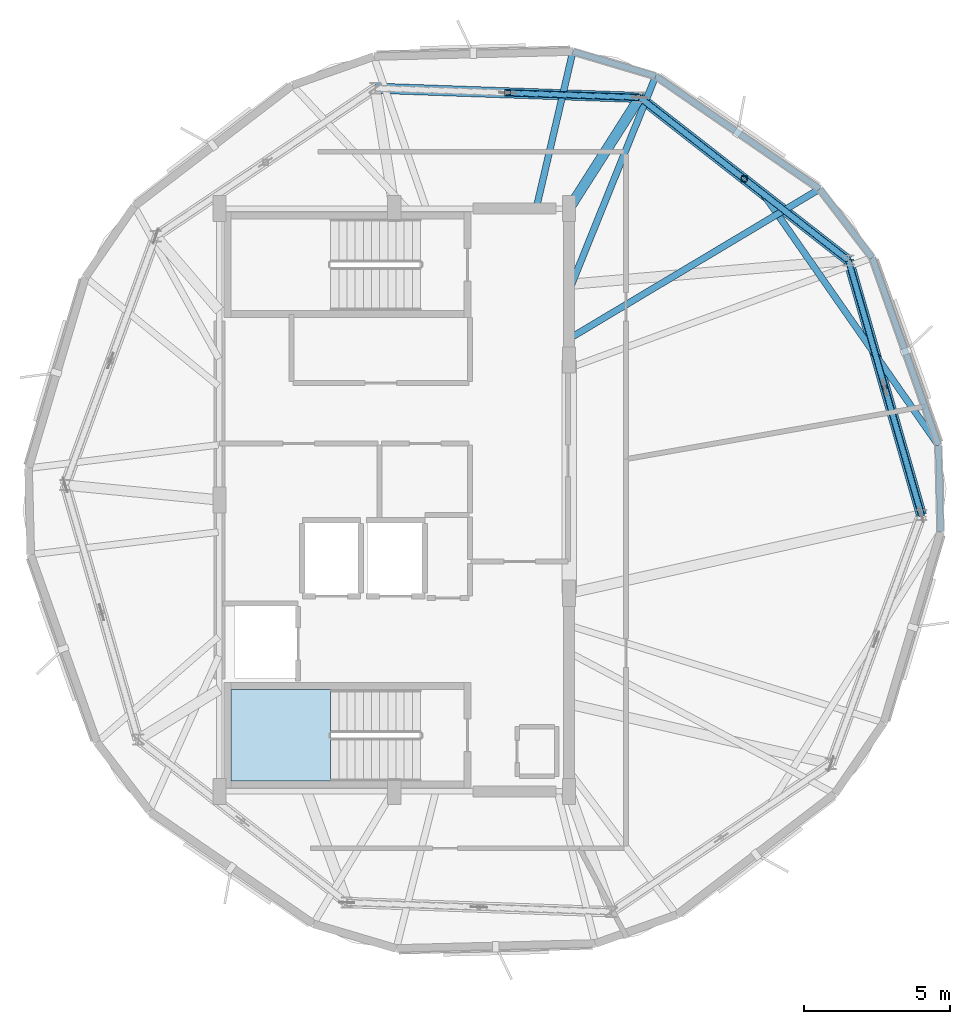
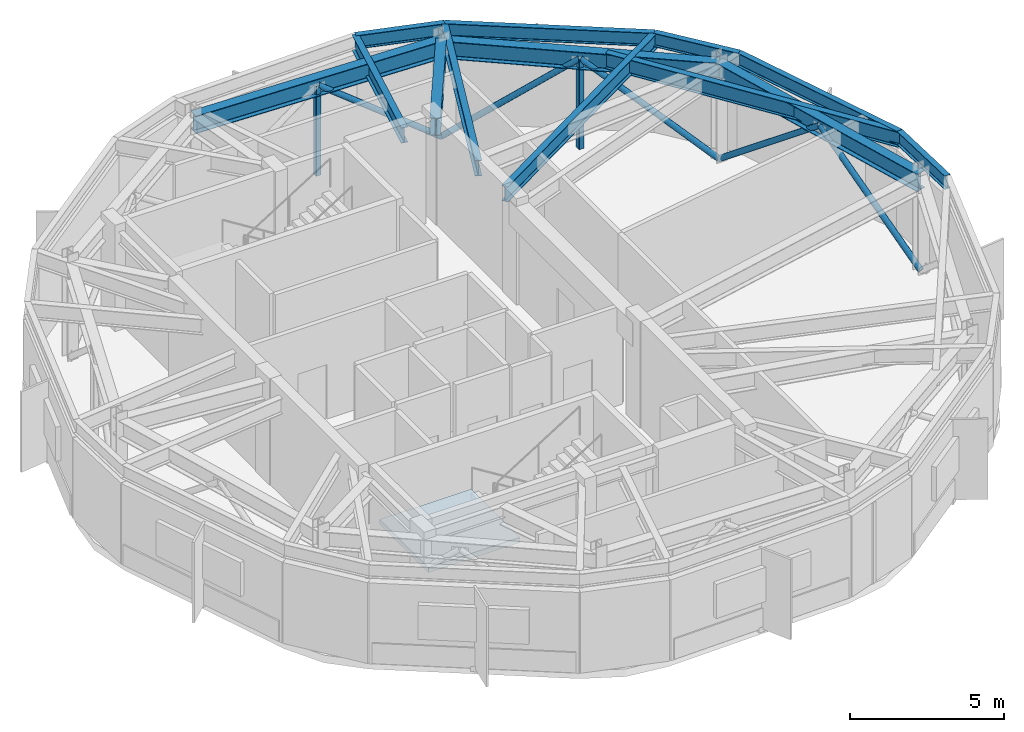
# One storey, part 3 of 9: 13 beams, 7 members, 1 slab, 1 element without a shape of its own.
"""IFC4 building model written with IfcOpenShell, lengths in metres."""

import ifcopenshell
import ifcopenshell.guid

model = None  # the IFC model being written
_history = None  # IfcOwnerHistory: only IFC2X3 demands one
_inside = {}  # id of a spatial element -> (the spatial element, [elements in it])
_under = {}  # id of a project, library or spatial element -> (it, [spatial elements below it])
_declared = {}  # id of a project -> (the project, [libraries it declares])
_typed = {}  # id of a type object -> (the type object, [elements of that type])
_made_of = {}  # id of a material, layer set ... -> (it, [elements and type objects made of it])


def new_model(schema):
    """Start an empty IFC model of exactly this schema.

    Asked for "IFC4X3", IfcOpenShell would pick the latest addendum, in which some entities
    have other attributes; the version numbers below select the first issue.
    IFC2X3 requires an IfcOwnerHistory on every rooted entity: one is made here for all.
    """
    global model, _history
    if schema == "IFC4X3":
        model = ifcopenshell.file(schema_version=(4, 3, 0, 0))
    else:
        model = ifcopenshell.file(schema=schema)
    _inside.clear()
    _under.clear()
    _declared.clear()
    _typed.clear()
    _made_of.clear()
    _history = None
    if model.schema == "IFC2X3":
        org = make("IfcOrganization", Name="unknown")
        user = make(
            "IfcPersonAndOrganization",
            ThePerson=make("IfcPerson", FamilyName="unknown"),
            TheOrganization=org,
        )
        app = make(
            "IfcApplication",
            ApplicationDeveloper=org,
            Version="unknown",
            ApplicationFullName="unknown",
            ApplicationIdentifier="unknown",
        )
        _history = make(
            "IfcOwnerHistory",
            OwningUser=user,
            OwningApplication=app,
            ChangeAction="ADDED",
            CreationDate=0,
        )
    return model


def make(cls, **values):
    """One entity of the class cls with the attributes given. An attribute that is None is left unset."""
    return model.create_entity(
        cls, **{name: value for name, value in values.items() if value is not None}
    )


def rooted(cls, **values):
    """An entity with a GlobalId (a new one), such as an element, a storey or a relation."""
    return make(cls, GlobalId=ifcopenshell.guid.new(), OwnerHistory=_history, **values)


def si_unit(unit_type, name, prefix=None):
    """IfcSIUnit, for example si_unit("LENGTHUNIT", "METRE", prefix="MILLI")."""
    return make("IfcSIUnit", UnitType=unit_type, Prefix=prefix, Name=name)


def assignment(units):
    """IfcUnitAssignment: the units of a project."""
    return None if units is None else make("IfcUnitAssignment", Units=units)


def point(xyz):
    """IfcCartesianPoint."""
    return None if xyz is None else make("IfcCartesianPoint", Coordinates=xyz)


def direction(xyz):
    """IfcDirection."""
    return None if xyz is None else make("IfcDirection", DirectionRatios=xyz)


def frame(location, z_axis=None, x_axis=None):
    """IfcAxis2Placement3D, a coordinate frame: its origin and axes. An axis left out is left unset."""
    return make(
        "IfcAxis2Placement3D",
        Location=point(location),
        Axis=direction(z_axis),
        RefDirection=direction(x_axis),
    )


def frame_2d(location, x_axis=None):
    """IfcAxis2Placement2D, a coordinate frame in the plane: its origin and x axis."""
    return make(
        "IfcAxis2Placement2D", Location=point(location), RefDirection=direction(x_axis)
    )


def origin():
    """The frame at (0, 0, 0) with its axes left unset."""
    return frame((0.0, 0.0, 0.0))


def origin_2d():
    """The frame at (0, 0) in the plane with its x axis left unset."""
    return frame_2d((0.0, 0.0))


def place(relative_to, where):
    """IfcLocalPlacement: puts the frame where relative to a parent placement (None: the world)."""
    return make(
        "IfcLocalPlacement", PlacementRelTo=relative_to, RelativePlacement=where
    )


def context(
    kind, dimensions, precision=None, world=None, true_north=None, identifier=None
):
    """IfcGeometricRepresentationContext, for example the 3D "Model" context."""
    return make(
        "IfcGeometricRepresentationContext",
        ContextIdentifier=identifier,
        ContextType=kind,
        CoordinateSpaceDimension=dimensions,
        Precision=precision,
        WorldCoordinateSystem=world,
        TrueNorth=true_north,
    )


def subcontext(parent, identifier, kind, view, scale=None):
    """IfcGeometricRepresentationSubContext, for example "Body" below "Model"."""
    return make(
        "IfcGeometricRepresentationSubContext",
        ContextIdentifier=identifier,
        ContextType=kind,
        ParentContext=parent,
        TargetScale=scale,
        TargetView=view,
    )


def project(units=None, contexts=None):
    """IfcProject with its units and contexts."""
    return rooted(
        "IfcProject",
        Name="project",
        RepresentationContexts=contexts,
        UnitsInContext=assignment(units),
    )


def spatial(cls, under=None, at=None, **own):
    """A site, building, storey or space (cls), placed at a placement, below another one or the project."""
    s = rooted(cls, ObjectPlacement=at, **own)
    if under is not None:
        _under.setdefault(under.id(), (under, []))[1].append(s)
    return s


def polyline(points):
    """IfcPolyline through the points."""
    return make("IfcPolyline", Points=[point(p) for p in points])


def profile(cls, at=None, kind="AREA", **sizes):
    """A parametric profile (cls). Its sizes go by their IFC names, for example OverallWidth=200.0."""
    return make(cls, ProfileType=kind, Position=at, **sizes)


def hollow_rectangle(**sizes):
    """IfcRectangleHollowProfileDef."""
    return profile("IfcRectangleHollowProfileDef", **sizes)


def hollow_circle(**sizes):
    """IfcCircleHollowProfileDef."""
    return profile("IfcCircleHollowProfileDef", **sizes)


def i_section(**sizes):
    """IfcIShapeProfileDef."""
    return profile("IfcIShapeProfileDef", **sizes)


def outline(outer, holes=None, kind="AREA"):
    """IfcArbitraryClosedProfileDef: a profile drawn as a closed curve; with holes, ...WithVoids."""
    if holes is None:
        return make("IfcArbitraryClosedProfileDef", ProfileType=kind, OuterCurve=outer)
    return make(
        "IfcArbitraryProfileDefWithVoids",
        ProfileType=kind,
        OuterCurve=outer,
        InnerCurves=holes,
    )


def extrude(swept, where, along, depth):
    """IfcExtrudedAreaSolid: the profile swept, set in the frame where, extruded along a direction by depth."""
    return make(
        "IfcExtrudedAreaSolid",
        SweptArea=swept,
        Position=where,
        ExtrudedDirection=direction(along),
        Depth=depth,
    )


def shape(context_of_items, identifier, shape_type, items):
    """IfcShapeRepresentation: the items that make up one representation, for example the "Body"."""
    return make(
        "IfcShapeRepresentation",
        ContextOfItems=context_of_items,
        RepresentationIdentifier=identifier,
        RepresentationType=shape_type,
        Items=items,
    )


def material(Name=None, Category=None):
    """IfcMaterial."""
    return make("IfcMaterial", Name=Name, Category=Category)


def layer(
    of_material, thickness, ventilated=None, Name=None, Category=None, Priority=None
):
    """IfcMaterialLayer: one layer of a wall or slab, of a material (None: an air gap)."""
    return make(
        "IfcMaterialLayer",
        Material=of_material,
        LayerThickness=thickness,
        IsVentilated=ventilated,
        Name=Name,
        Category=Category,
        Priority=Priority,
    )


def layer_set(layers, Name=None):
    """IfcMaterialLayerSet."""
    return make("IfcMaterialLayerSet", MaterialLayers=layers, LayerSetName=Name)


def material_profile(
    of_material, cross_section, Name=None, Category=None, Priority=None
):
    """IfcMaterialProfile: a cross section and its material."""
    return make(
        "IfcMaterialProfile",
        Name=Name,
        Material=of_material,
        Profile=cross_section,
        Priority=Priority,
        Category=Category,
    )


def profile_set(profiles, Name=None, composite=None):
    """IfcMaterialProfileSet."""
    return make(
        "IfcMaterialProfileSet",
        Name=Name,
        MaterialProfiles=profiles,
        CompositeProfile=composite,
    )


def made_of(thing, what):
    """Note that an element or type object is made of a material, layer set ...; save() writes the relation."""
    if what is not None:
        _made_of.setdefault(what.id(), (what, []))[1].append(thing)
    return thing


def type_object(cls, material=None, **own):
    """A type object (cls), such as IfcWallType, which elements share."""
    return made_of(rooted(cls, **own), material)


def element(
    cls,
    number,
    at=None,
    inside=None,
    cuts=None,
    type_object=None,
    material=None,
    context=None,
    identifier="Body",
    shape_type=None,
    held_by="IfcProductDefinitionShape",
    body=None,
    shapes=None,
    **own,
):
    """One element of the class cls, such as IfcWall. Its Tag is "e" and its number.

    at: its placement. inside: the storey or other place that contains it. cuts: it is an
    opening in that element (IfcRelVoidsElement). A single representation is given by context,
    identifier, shape_type and body (its items); several are given by shapes. held_by: the class
    of the entity that holds the representations. save() writes the other relations.
    """
    e = rooted(cls, Tag="e%d" % number, ObjectPlacement=at, **own)
    if body is not None:
        shapes = [shape(context, identifier, shape_type, body)]
    if shapes is not None:
        e.Representation = make(held_by, Representations=shapes)
    if inside is not None:
        _inside.setdefault(inside.id(), (inside, []))[1].append(e)
    if cuts is not None:
        rooted(
            "IfcRelVoidsElement", RelatingBuildingElement=cuts, RelatedOpeningElement=e
        )
    if type_object is not None:
        _typed.setdefault(type_object.id(), (type_object, []))[1].append(e)
    return made_of(e, material)


def aggregate(whole, parts):
    """IfcRelAggregates: a whole, such as a stair, and the parts it consists of."""
    return rooted("IfcRelAggregates", RelatingObject=whole, RelatedObjects=parts)


def save(model, path):
    """Write the relations noted so far, then the file.

    IfcRelAggregates (storeys below a building ...), IfcRelContainedInSpatialStructure (elements
    in a storey), IfcRelDefinesByType, IfcRelAssociatesMaterial and IfcRelDeclares: one each for
    every whole, place, type object, material and project.
    """
    for whole, parts in _under.values():
        aggregate(whole, parts)
    for where, things in _inside.values():
        rooted(
            "IfcRelContainedInSpatialStructure",
            RelatedElements=things,
            RelatingStructure=where,
        )
    for kind, things in _typed.values():
        rooted("IfcRelDefinesByType", RelatedObjects=things, RelatingType=kind)
    for what, things in _made_of.values():
        rooted("IfcRelAssociatesMaterial", RelatedObjects=things, RelatingMaterial=what)
    for by, libraries in _declared.values():
        rooted("IfcRelDeclares", RelatingContext=by, RelatedDefinitions=libraries)
    model.write(path)


model = new_model("IFC4")

# Units and contexts
model_context = context("Model", 3, precision=1e-05, world=origin(), true_north=direction((0.0, 1.0)))
body_context = subcontext(model_context, "Body", "Model", "MODEL_VIEW")
ifc_project = project(units=[si_unit("LENGTHUNIT", "METRE"), si_unit("AREAUNIT", "SQUARE_METRE"), si_unit("VOLUMEUNIT", "CUBIC_METRE"), si_unit("PLANEANGLEUNIT", "RADIAN"), si_unit("MASSUNIT", "GRAM", prefix="KILO")], contexts=[model_context])

# Site, building, storey
site_placement = place(None, origin())
site = spatial("IfcSite", under=ifc_project, at=site_placement, CompositionType="ELEMENT")
building_placement = place(site_placement, origin())
building = spatial("IfcBuilding", under=site, at=building_placement, Name="Soratama Intermodal Tower", CompositionType="ELEMENT")
storey_placement = place(building_placement, frame((0.0, 0.0, 305.64990234375)))
storey = spatial("IfcBuildingStorey", under=building, at=storey_placement, Name="L77", CompositionType="ELEMENT", Elevation=305.64990234375)

# Beams
ifc_material_1 = material(Name="Structural steel ASTM A992 Grade 50", Category="steel")
ifc_material_profile_1 = material_profile(ifc_material_1, i_section(OverallWidth=0.35498046875, OverallDepth=0.695068359375, WebThickness=0.015380859375, FlangeThickness=0.02490234375, FilletRadius=0.01611328125, at=origin_2d()), Name="W27X146")
ifc_profile_set_1 = profile_set([ifc_material_profile_1], Name="Structural steel ASTM A992 Grade 50")
beam_type_1 = type_object("IfcBeamType", Name="BM-RING-W27X146", PredefinedType="BEAM", material=ifc_profile_set_1)
beam_1_placement = place(storey_placement, frame((54.18701171875, 33.219970703125, 3.547607421875), z_axis=(-0.78801907717, 0.615650821502, 0.0), x_axis=(-0.615650821502, -0.78801907717, 0.0)))
element("IfcBeam", 1, at=beam_1_placement, inside=storey, type_object=beam_type_1, Name="BM-L77-RING-01", PredefinedType="BEAM", context=body_context, shape_type="SweptSolid", body=[
    extrude(i_section(OverallWidth=0.35498046875, OverallDepth=0.695068359375, WebThickness=0.015380859375, FlangeThickness=0.02490234375, FilletRadius=0.01611328125, at=origin_2d()), origin(), (0.0, 0.0, 1.0), 9.084716796875),
])
beam_2_placement = place(storey_placement, frame((47.028076171875, 38.81298828125, 3.547607421875), z_axis=(-0.999391551516, 0.034878743651, 0.0), x_axis=(-0.034878743651, -0.999391551516, 0.0)))
element("IfcBeam", 2, at=beam_2_placement, inside=storey, type_object=beam_type_1, Name="BM-L77-RING-02", PredefinedType="BEAM", context=body_context, shape_type="SweptSolid", body=[
    extrude(i_section(OverallWidth=0.35498046875, OverallDepth=0.695068359375, WebThickness=0.015380859375, FlangeThickness=0.02490234375, FilletRadius=0.01611328125, at=origin_2d()), origin(), (0.0, 0.0, 1.0), 9.085693359375),
])
beam_3_placement = place(storey_placement, frame((56.69091796875, 24.487060546875, 3.547607421875), z_axis=(-0.275615442928, 0.961267979088, 0.0), x_axis=(-0.961267979088, -0.275615442928, 0.0)))
element("IfcBeam", 3, at=beam_3_placement, inside=storey, type_object=beam_type_1, Name="BM-L77-RING-10", PredefinedType="BEAM", context=body_context, shape_type="SweptSolid", body=[
    extrude(i_section(OverallWidth=0.35498046875, OverallDepth=0.695068359375, WebThickness=0.015380859375, FlangeThickness=0.02490234375, FilletRadius=0.01611328125, at=origin_2d()), origin(), (0.0, 0.0, 1.0), 9.084716796875),
])
beam_4_placement = place(storey_placement, frame((44.60009765625, 35.0, 3.547607421875), z_axis=(0.537116603261, 0.843508005001, 0.0), x_axis=(-0.843508005001, 0.537116603261, 0.0)))
element("IfcBeam", 4, at=beam_4_placement, inside=storey, type_object=beam_type_1, Name="BM-L77-RAD-02", PredefinedType="BEAM", context=body_context, shape_type="SweptSolid", body=[
    extrude(i_section(OverallWidth=0.35498046875, OverallDepth=0.695068359375, WebThickness=0.015380859375, FlangeThickness=0.02490234375, FilletRadius=0.01611328125, at=origin_2d()), origin(), (0.0, 0.0, 1.0), 4.5205078125),
])
ifc_material_2 = material(Name="Structural steel ASTM A992 Grade 50", Category="steel")
ifc_material_profile_2 = material_profile(ifc_material_2, i_section(OverallWidth=0.2099609375, OverallDepth=0.537109375, WebThickness=0.010986328125, FlangeThickness=0.017333984375, FilletRadius=0.012939453125, at=origin_2d()), Name="W21X68")
ifc_profile_set_2 = profile_set([ifc_material_profile_2], Name="Structural steel ASTM A992 Grade 50")
beam_type_2 = type_object("IfcBeamType", Name="BM-SPN-W21X68", PredefinedType="SPANDREL", material=ifc_profile_set_2)
beam_5_placement = place(storey_placement, frame((57.35009765625, 23.909912109375, 3.626708984375), z_axis=(-0.025023039104, 0.999686874733, 0.0), x_axis=(-0.999686874733, -0.025023039104, 0.0)))
element("IfcBeam", 5, at=beam_5_placement, inside=storey, type_object=beam_type_2, Name="BS-L77-CRN08", PredefinedType="SPANDREL", context=body_context, shape_type="SweptSolid", body=[
    extrude(i_section(OverallWidth=0.2099609375, OverallDepth=0.537109375, WebThickness=0.010986328125, FlangeThickness=0.017333984375, FilletRadius=0.012939453125, at=origin_2d()), origin(), (0.0, 0.0, 1.0), 2.966064453125),
])
beam_6_placement = place(storey_placement, frame((57.27587890625, 26.875, 3.626708984375), z_axis=(-0.332861243302, 0.942975817668, 0.0), x_axis=(-0.942975817668, -0.332861243302, 0.0)))
element("IfcBeam", 6, at=beam_6_placement, inside=storey, type_object=beam_type_2, Name="BS-L77-F09", PredefinedType="SPANDREL", context=body_context, shape_type="SweptSolid", body=[
    extrude(i_section(OverallWidth=0.2099609375, OverallDepth=0.537109375, WebThickness=0.010986328125, FlangeThickness=0.017333984375, FilletRadius=0.012939453125, at=origin_2d()), origin(), (0.0, 0.0, 1.0), 6.83154296875),
])
beam_7_placement = place(storey_placement, frame((55.001953125, 33.31689453125, 3.626708984375), z_axis=(-0.607859420351, 0.794044661899, 0.0), x_axis=(-0.794044661899, -0.607859420351, 0.0)))
element("IfcBeam", 7, at=beam_7_placement, inside=storey, type_object=beam_type_2, Name="BS-L77-CRN09", PredefinedType="SPANDREL", context=body_context, shape_type="SweptSolid", body=[
    extrude(i_section(OverallWidth=0.2099609375, OverallDepth=0.537109375, WebThickness=0.010986328125, FlangeThickness=0.017333984375, FilletRadius=0.012939453125, at=origin_2d()), origin(), (0.0, 0.0, 1.0), 2.966064453125),
])
beam_8_placement = place(storey_placement, frame((53.198974609375, 35.672119140625, 3.626708984375), z_axis=(-0.823553605691, 0.567238449467, 0.0), x_axis=(-0.567238449467, -0.823553605691, 0.0)))
element("IfcBeam", 8, at=beam_8_placement, inside=storey, type_object=beam_type_2, Name="BS-L77-F10", PredefinedType="SPANDREL", context=body_context, shape_type="SweptSolid", body=[
    extrude(i_section(OverallWidth=0.2099609375, OverallDepth=0.537109375, WebThickness=0.010986328125, FlangeThickness=0.017333984375, FilletRadius=0.012939453125, at=origin_2d()), origin(), (0.0, 0.0, 1.0), 6.831298828125),
])
beam_9_placement = place(storey_placement, frame((47.572998046875, 39.547119140625, 3.626708984375), z_axis=(-0.958469489688, 0.285195086455, 0.0), x_axis=(-0.285195086455, -0.958469489688, 0.0)))
element("IfcBeam", 9, at=beam_9_placement, inside=storey, type_object=beam_type_2, Name="BS-L77-CRN10", PredefinedType="SPANDREL", context=body_context, shape_type="SweptSolid", body=[
    extrude(i_section(OverallWidth=0.2099609375, OverallDepth=0.537109375, WebThickness=0.010986328125, FlangeThickness=0.017333984375, FilletRadius=0.012939453125, at=origin_2d()), origin(), (0.0, 0.0, 1.0), 2.96630859375),
])
ifc_material_3 = material(Name="Structural steel ASTM A992 Grade 50", Category="steel")
ifc_material_profile_3 = material_profile(ifc_material_3, i_section(OverallWidth=0.22900390625, OverallDepth=0.612060546875, WebThickness=0.011962890625, FlangeThickness=0.01953125, FilletRadius=0.012939453125, at=origin_2d()), Name="W24X84")
ifc_profile_set_3 = profile_set([ifc_material_profile_3], Name="Structural steel ASTM A992 Grade 50")
beam_type_3 = type_object("IfcBeamType", Name="BM-TIE-W24X84", PredefinedType="BEAM", material=ifc_profile_set_3)
beam_10_placement = place(storey_placement, frame((43.47998046875, 35.0390625, 3.589111328125), z_axis=(0.227355951671, 0.973811722685, 0.0), x_axis=(-0.973811722685, 0.227355951671, 0.0)))
element("IfcBeam", 10, at=beam_10_placement, inside=storey, type_object=beam_type_3, Name="BM-L77-TIE0-01", PredefinedType="BEAM", context=body_context, shape_type="SweptSolid", body=[
    extrude(i_section(OverallWidth=0.22900390625, OverallDepth=0.612060546875, WebThickness=0.011962890625, FlangeThickness=0.01953125, FilletRadius=0.012939453125, at=origin_2d()), origin(), (0.0, 0.0, 1.0), 5.498046875),
])
beam_11_placement = place(storey_placement, frame((51.2880859375, 35.469970703125, 3.589111328125), z_axis=(0.571622947608, -0.820516426263, 0.0), x_axis=(0.820516426263, 0.571622947608, 0.0)))
element("IfcBeam", 11, at=beam_11_placement, inside=storey, type_object=beam_type_3, Name="BM-L77-TIE0-09", PredefinedType="BEAM", context=body_context, shape_type="SweptSolid", body=[
    extrude(i_section(OverallWidth=0.22900390625, OverallDepth=0.612060546875, WebThickness=0.011962890625, FlangeThickness=0.01953125, FilletRadius=0.012939453125, at=origin_2d()), origin(), (0.0, 0.0, 1.0), 10.47509765625),
])
beam_12_placement = place(storey_placement, frame((44.634033203125, 30.553955078125, 3.589111328125), z_axis=(0.858411291214, 0.512962040619, 0.0), x_axis=(-0.512962040619, 0.858411291214, 0.0)))
element("IfcBeam", 12, at=beam_12_placement, inside=storey, type_object=beam_type_3, Name="BM-L77-TIE0-10", PredefinedType="BEAM", context=body_context, shape_type="SweptSolid", body=[
    extrude(i_section(OverallWidth=0.22900390625, OverallDepth=0.612060546875, WebThickness=0.011962890625, FlangeThickness=0.01953125, FilletRadius=0.012939453125, at=origin_2d()), origin(), (0.0, 0.0, 1.0), 9.977783203125),
])
beam_13_placement = place(storey_placement, frame((44.614990234375, 32.219970703125, 3.589111328125), z_axis=(0.374350657617, 0.927287218256, 0.0), x_axis=(-0.927287218256, 0.374350657617, 0.0)))
element("IfcBeam", 13, at=beam_13_placement, inside=storey, type_object=beam_type_3, Name="BM-L77-TIE1-10", PredefinedType="BEAM", context=body_context, shape_type="SweptSolid", body=[
    extrude(i_section(OverallWidth=0.22900390625, OverallDepth=0.612060546875, WebThickness=0.011962890625, FlangeThickness=0.01953125, FilletRadius=0.012939453125, at=origin_2d()), origin(), (0.0, 0.0, 1.0), 7.901611328125),
])

# Members
ifc_material_4 = material(Name="Structural steel ASTM A500 Grade C", Category="steel")
ifc_material_profile_4 = material_profile(ifc_material_4, hollow_circle(Radius=0.109619140625, WallThickness=0.010009765625, at=origin_2d()), Name="CHS219X10")
ifc_profile_set_4 = profile_set([ifc_material_profile_4], Name="Structural steel ASTM A500 Grade C")
member_type_1 = type_object("IfcMemberType", Name="MB-DIAG-CHS219", PredefinedType="BRACE", material=ifc_profile_set_4)
for number, where, z_axis, x_axis, name in (
    (14, (54.18701171875, 33.22021484375, 0.010009765625), (-0.621722679226, 0.485734094294, 0.614429247169), (-0.615654471605, -0.788016225463, 0.0), "L77 Belt Truss Brace A 01"),
    (15, (47.027587890625, 38.8134765625, 0.010009765625), (0.621748691194, -0.485721288797, 0.614413048858), (0.615628397983, 0.788036595341, 0.0), "L77 Belt Truss Brace B 01"),
    (16, (47.027587890625, 38.8134765625, 0.010009765625), (-0.78849352698, 0.027519887013, 0.614427061358), (-0.034880617074, -0.999391486132, 0.0), "L77 Belt Truss Brace A 02"),
):
    element("IfcMember", number, at=place(storey_placement, frame(where, z_axis=z_axis, x_axis=x_axis)), inside=storey, type_object=member_type_1, Name=name, PredefinedType="BRACE", context=body_context, shape_type="SweptSolid", body=[
        extrude(hollow_circle(Radius=0.109619140625, WallThickness=0.010009765625, at=origin_2d()), origin(), (0.0, 0.0, 1.0), 5.757568359375),
    ])
member_1_placement = place(storey_placement, frame((56.69091796875, 24.487060546875, 0.010009765625), z_axis=(-0.217450278608, 0.758404491597, 0.61444121237), x_axis=(-0.961267979088, -0.275615442928, 0.0)))
element("IfcMember", 17, at=member_1_placement, inside=storey, type_object=member_type_1, Name="L77 Belt Truss Brace A 10", PredefinedType="BRACE", context=body_context, shape_type="SweptSolid", body=[
    extrude(hollow_circle(Radius=0.109619140625, WallThickness=0.010009765625, at=origin_2d()), origin(), (0.0, 0.0, 1.0), 5.75732421875),
])
member_2_placement = place(storey_placement, frame((54.18701171875, 33.22021484375, 0.010009765625), z_axis=(0.217443285601, -0.758422505119, 0.614421452487), x_axis=(0.961272061614, 0.275601203844, 0.0)))
element("IfcMember", 18, at=member_2_placement, inside=storey, type_object=member_type_1, Name="L77 Belt Truss Brace B 10", PredefinedType="BRACE", context=body_context, shape_type="SweptSolid", body=[
    extrude(hollow_circle(Radius=0.109619140625, WallThickness=0.010009765625, at=origin_2d()), origin(), (0.0, 0.0, 1.0), 5.757568359375),
])
ifc_material_5 = material(Name="Structural steel ASTM A500 Grade C", Category="steel")
ifc_material_profile_5 = material_profile(ifc_material_5, hollow_rectangle(XDim=0.203125, YDim=0.203125, WallThickness=0.0126953125, InnerFilletRadius=0.0126953125, OuterFilletRadius=0.025390625, at=origin_2d()), Name="HSS203X203X12.7")
ifc_profile_set_5 = profile_set([ifc_material_profile_5], Name="Structural steel ASTM A500 Grade C")
member_type_2 = type_object("IfcMemberType", Name="MB-PST-HSS203", PredefinedType="POST", material=ifc_profile_set_5)
for number, where, z_axis, x_axis, name in (
    (19, (50.607421875, 36.016845703125, 0.010009765625), (0.0, 0.0, 1.0), (1.0, 0.0, 0.0), "L77 Crown Truss Post 01"),
    (20, (42.48779296875, 38.971923828125, 0.010009765625), (0.0, 0.0, 1.0), (1.0, 0.0, 0.0), "L77 Crown Truss Post 02"),
):
    element("IfcMember", number, at=place(storey_placement, frame(where, z_axis=z_axis, x_axis=x_axis)), inside=storey, type_object=member_type_2, Name=name, PredefinedType="POST", context=body_context, shape_type="SweptSolid", body=[
        extrude(hollow_rectangle(XDim=0.203125, YDim=0.203125, WallThickness=0.0126953125, InnerFilletRadius=0.0126953125, OuterFilletRadius=0.025390625, at=origin_2d()), origin(), (0.0, 0.0, 1.0), 3.53759765625),
    ])

# Stair, slab
ifc_material_6 = material(Name="Concrete f'c 42 MPa", Category="concrete")
stair_type = type_object("IfcStairType", Name="ST-CORE-DOGLEG", PredefinedType="HALF_TURN_STAIR", material=ifc_material_6)
stair_placement = place(storey_placement, origin())
stair = element("IfcStair", 21, at=stair_placement, inside=storey, type_object=stair_type, Name="L77 ST-1", PredefinedType="HALF_TURN_STAIR")
ifc_material_7 = material(Name="Concrete f'c 42 MPa", Category="concrete")
ifc_layer = layer(ifc_material_7, 0.219970703125)
ifc_layer_set = layer_set([ifc_layer], Name="Concrete f'c 42 MPa")
slab_type = type_object("IfcSlabType", Name="SL-STAIR-LAND", PredefinedType="LANDING", material=ifc_layer_set)
slab_placement = place(storey_placement, frame((0.0, 0.0, 1.900146484375)))
slab = element("IfcSlab", 22, at=slab_placement, type_object=slab_type, Name="ST-1 landing 1", PredefinedType="LANDING", context=body_context, shape_type="SweptSolid", body=[
    extrude(outline(polyline([(36.419921875, 18.5), (33.0, 18.5), (33.0, 15.35009765625), (36.419921875, 15.35009765625), (36.419921875, 18.5)])), origin(), (0.0, 0.0, 1.0), 0.199951171875),
])
aggregate(stair, [slab])

save(model, "model.ifc")
